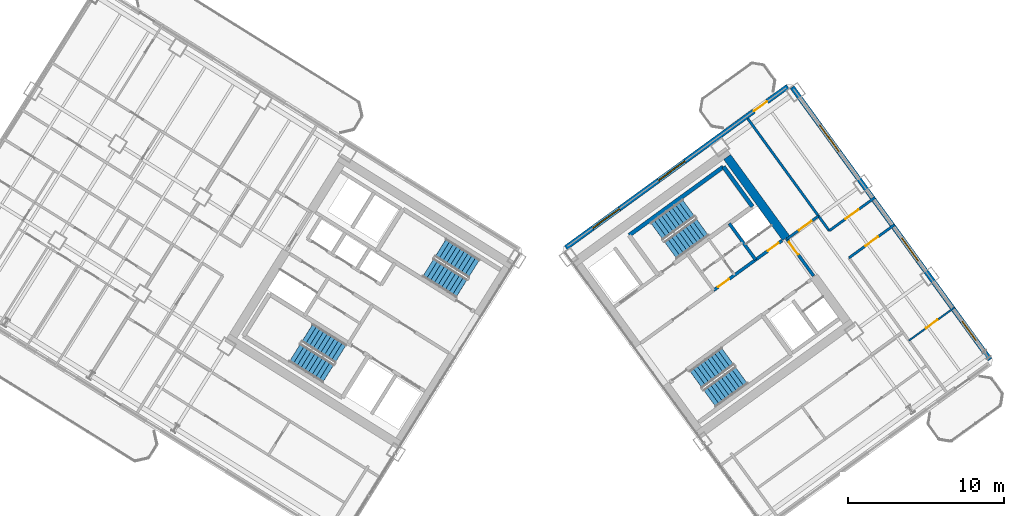
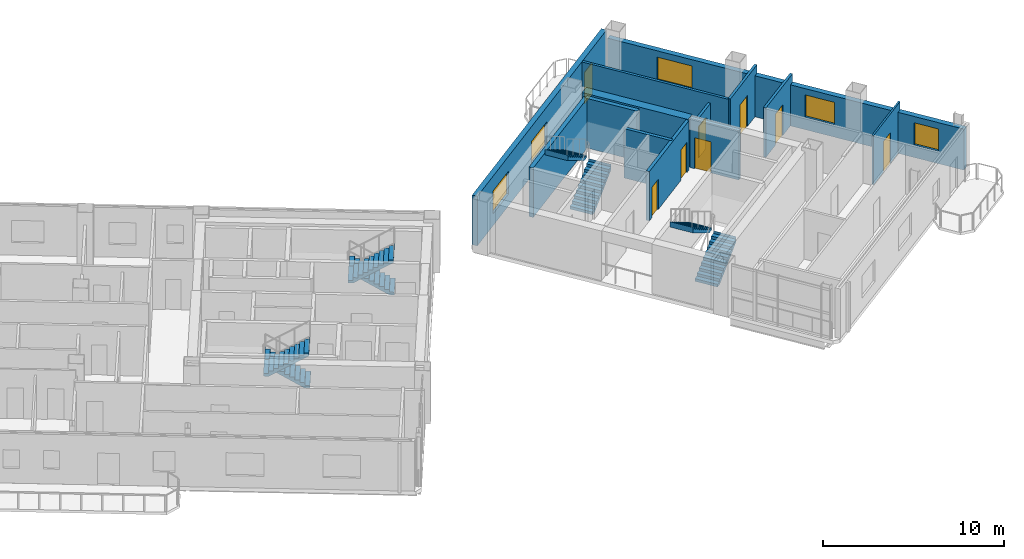
# One storey, part 14 of 19: 13 walls, 8 doors, 8 stair flights, 5 windows, 13 openings, 4 elements without a shape of their own.
"""IFC4 building model written with IfcOpenShell, lengths in metres."""

import ifcopenshell
import ifcopenshell.guid

model = None  # the IFC model being written
_history = None  # IfcOwnerHistory: only IFC2X3 demands one
_inside = {}  # id of a spatial element -> (the spatial element, [elements in it])
_under = {}  # id of a project, library or spatial element -> (it, [spatial elements below it])
_declared = {}  # id of a project -> (the project, [libraries it declares])
_typed = {}  # id of a type object -> (the type object, [elements of that type])
_made_of = {}  # id of a material, layer set ... -> (it, [elements and type objects made of it])


def new_model(schema):
    """Start an empty IFC model of exactly this schema.

    Asked for "IFC4X3", IfcOpenShell would pick the latest addendum, in which some entities
    have other attributes; the version numbers below select the first issue.
    IFC2X3 requires an IfcOwnerHistory on every rooted entity: one is made here for all.
    """
    global model, _history
    if schema == "IFC4X3":
        model = ifcopenshell.file(schema_version=(4, 3, 0, 0))
    else:
        model = ifcopenshell.file(schema=schema)
    _inside.clear()
    _under.clear()
    _declared.clear()
    _typed.clear()
    _made_of.clear()
    _history = None
    if model.schema == "IFC2X3":
        org = make("IfcOrganization", Name="unknown")
        user = make(
            "IfcPersonAndOrganization",
            ThePerson=make("IfcPerson", FamilyName="unknown"),
            TheOrganization=org,
        )
        app = make(
            "IfcApplication",
            ApplicationDeveloper=org,
            Version="unknown",
            ApplicationFullName="unknown",
            ApplicationIdentifier="unknown",
        )
        _history = make(
            "IfcOwnerHistory",
            OwningUser=user,
            OwningApplication=app,
            ChangeAction="ADDED",
            CreationDate=0,
        )
    return model


def make(cls, **values):
    """One entity of the class cls with the attributes given. An attribute that is None is left unset."""
    return model.create_entity(
        cls, **{name: value for name, value in values.items() if value is not None}
    )


def rooted(cls, **values):
    """An entity with a GlobalId (a new one), such as an element, a storey or a relation."""
    return make(cls, GlobalId=ifcopenshell.guid.new(), OwnerHistory=_history, **values)


def si_unit(unit_type, name, prefix=None):
    """IfcSIUnit, for example si_unit("LENGTHUNIT", "METRE", prefix="MILLI")."""
    return make("IfcSIUnit", UnitType=unit_type, Prefix=prefix, Name=name)


def assignment(units):
    """IfcUnitAssignment: the units of a project."""
    return None if units is None else make("IfcUnitAssignment", Units=units)


def point(xyz):
    """IfcCartesianPoint."""
    return None if xyz is None else make("IfcCartesianPoint", Coordinates=xyz)


def direction(xyz):
    """IfcDirection."""
    return None if xyz is None else make("IfcDirection", DirectionRatios=xyz)


def frame(location, z_axis=None, x_axis=None):
    """IfcAxis2Placement3D, a coordinate frame: its origin and axes. An axis left out is left unset."""
    return make(
        "IfcAxis2Placement3D",
        Location=point(location),
        Axis=direction(z_axis),
        RefDirection=direction(x_axis),
    )


def frame_2d(location, x_axis=None):
    """IfcAxis2Placement2D, a coordinate frame in the plane: its origin and x axis."""
    return make(
        "IfcAxis2Placement2D", Location=point(location), RefDirection=direction(x_axis)
    )


def origin():
    """The frame at (0, 0, 0) with its axes left unset."""
    return frame((0.0, 0.0, 0.0))


def place(relative_to, where):
    """IfcLocalPlacement: puts the frame where relative to a parent placement (None: the world)."""
    return make(
        "IfcLocalPlacement", PlacementRelTo=relative_to, RelativePlacement=where
    )


def context(
    kind, dimensions, precision=None, world=None, true_north=None, identifier=None
):
    """IfcGeometricRepresentationContext, for example the 3D "Model" context."""
    return make(
        "IfcGeometricRepresentationContext",
        ContextIdentifier=identifier,
        ContextType=kind,
        CoordinateSpaceDimension=dimensions,
        Precision=precision,
        WorldCoordinateSystem=world,
        TrueNorth=true_north,
    )


def subcontext(parent, identifier, kind, view, scale=None):
    """IfcGeometricRepresentationSubContext, for example "Body" below "Model"."""
    return make(
        "IfcGeometricRepresentationSubContext",
        ContextIdentifier=identifier,
        ContextType=kind,
        ParentContext=parent,
        TargetScale=scale,
        TargetView=view,
    )


def project(units=None, contexts=None):
    """IfcProject with its units and contexts."""
    return rooted(
        "IfcProject",
        Name="project",
        RepresentationContexts=contexts,
        UnitsInContext=assignment(units),
    )


def spatial(cls, under=None, at=None, **own):
    """A site, building, storey or space (cls), placed at a placement, below another one or the project."""
    s = rooted(cls, ObjectPlacement=at, **own)
    if under is not None:
        _under.setdefault(under.id(), (under, []))[1].append(s)
    return s


def polyline(points):
    """IfcPolyline through the points."""
    return make("IfcPolyline", Points=[point(p) for p in points])


def profile(cls, at=None, kind="AREA", **sizes):
    """A parametric profile (cls). Its sizes go by their IFC names, for example OverallWidth=200.0."""
    return make(cls, ProfileType=kind, Position=at, **sizes)


def rectangle(**sizes):
    """IfcRectangleProfileDef."""
    return profile("IfcRectangleProfileDef", **sizes)


def outline(outer, holes=None, kind="AREA"):
    """IfcArbitraryClosedProfileDef: a profile drawn as a closed curve; with holes, ...WithVoids."""
    if holes is None:
        return make("IfcArbitraryClosedProfileDef", ProfileType=kind, OuterCurve=outer)
    return make(
        "IfcArbitraryProfileDefWithVoids",
        ProfileType=kind,
        OuterCurve=outer,
        InnerCurves=holes,
    )


def extrude(swept, where, along, depth):
    """IfcExtrudedAreaSolid: the profile swept, set in the frame where, extruded along a direction by depth."""
    return make(
        "IfcExtrudedAreaSolid",
        SweptArea=swept,
        Position=where,
        ExtrudedDirection=direction(along),
        Depth=depth,
    )


def shape(context_of_items, identifier, shape_type, items):
    """IfcShapeRepresentation: the items that make up one representation, for example the "Body"."""
    return make(
        "IfcShapeRepresentation",
        ContextOfItems=context_of_items,
        RepresentationIdentifier=identifier,
        RepresentationType=shape_type,
        Items=items,
    )


def source(mapping_origin, context_of_items, identifier, shape_type, items):
    """IfcRepresentationMap: a shape defined once, which mapped items show again and again."""
    return make(
        "IfcRepresentationMap",
        MappingOrigin=mapping_origin,
        MappedRepresentation=shape(context_of_items, identifier, shape_type, items),
    )


def transform(
    local_origin,
    x_axis=None,
    y_axis=None,
    z_axis=None,
    scale=None,
    scale2=None,
    scale3=None,
    uniform=True,
):
    """IfcCartesianTransformationOperator3D, or its non-uniform kind. x_axis, y_axis, z_axis: its Axis1, 2, 3."""
    if uniform:
        return make(
            "IfcCartesianTransformationOperator3D",
            Axis1=direction(x_axis),
            Axis2=direction(y_axis),
            LocalOrigin=point(local_origin),
            Scale=scale,
            Axis3=direction(z_axis),
        )
    return make(
        "IfcCartesianTransformationOperator3DnonUniform",
        Axis1=direction(x_axis),
        Axis2=direction(y_axis),
        LocalOrigin=point(local_origin),
        Scale=scale,
        Axis3=direction(z_axis),
        Scale2=scale2,
        Scale3=scale3,
    )


def mapped(mapping_source, mapping_target):
    """IfcMappedItem: shows the shape of a source again, moved by a transform."""
    return make(
        "IfcMappedItem", MappingSource=mapping_source, MappingTarget=mapping_target
    )


def material(Name=None, Category=None):
    """IfcMaterial."""
    return make("IfcMaterial", Name=Name, Category=Category)


def layer(
    of_material, thickness, ventilated=None, Name=None, Category=None, Priority=None
):
    """IfcMaterialLayer: one layer of a wall or slab, of a material (None: an air gap)."""
    return make(
        "IfcMaterialLayer",
        Material=of_material,
        LayerThickness=thickness,
        IsVentilated=ventilated,
        Name=Name,
        Category=Category,
        Priority=Priority,
    )


def layer_set(layers, Name=None):
    """IfcMaterialLayerSet."""
    return make("IfcMaterialLayerSet", MaterialLayers=layers, LayerSetName=Name)


def made_of(thing, what):
    """Note that an element or type object is made of a material, layer set ...; save() writes the relation."""
    if what is not None:
        _made_of.setdefault(what.id(), (what, []))[1].append(thing)
    return thing


def type_object(cls, material=None, **own):
    """A type object (cls), such as IfcWallType, which elements share."""
    return made_of(rooted(cls, **own), material)


def element(
    cls,
    number,
    at=None,
    inside=None,
    cuts=None,
    type_object=None,
    material=None,
    context=None,
    identifier="Body",
    shape_type=None,
    held_by="IfcProductDefinitionShape",
    body=None,
    shapes=None,
    **own,
):
    """One element of the class cls, such as IfcWall. Its Tag is "e" and its number.

    at: its placement. inside: the storey or other place that contains it. cuts: it is an
    opening in that element (IfcRelVoidsElement). A single representation is given by context,
    identifier, shape_type and body (its items); several are given by shapes. held_by: the class
    of the entity that holds the representations. save() writes the other relations.
    """
    e = rooted(cls, Tag="e%d" % number, ObjectPlacement=at, **own)
    if body is not None:
        shapes = [shape(context, identifier, shape_type, body)]
    if shapes is not None:
        e.Representation = make(held_by, Representations=shapes)
    if inside is not None:
        _inside.setdefault(inside.id(), (inside, []))[1].append(e)
    if cuts is not None:
        rooted(
            "IfcRelVoidsElement", RelatingBuildingElement=cuts, RelatedOpeningElement=e
        )
    if type_object is not None:
        _typed.setdefault(type_object.id(), (type_object, []))[1].append(e)
    return made_of(e, material)


def fill(opening, filler):
    """IfcRelFillsElement: the door or window that sits in an opening."""
    return rooted(
        "IfcRelFillsElement",
        RelatingOpeningElement=opening,
        RelatedBuildingElement=filler,
    )


def aggregate(whole, parts):
    """IfcRelAggregates: a whole, such as a stair, and the parts it consists of."""
    return rooted("IfcRelAggregates", RelatingObject=whole, RelatedObjects=parts)


def save(model, path):
    """Write the relations noted so far, then the file.

    IfcRelAggregates (storeys below a building ...), IfcRelContainedInSpatialStructure (elements
    in a storey), IfcRelDefinesByType, IfcRelAssociatesMaterial and IfcRelDeclares: one each for
    every whole, place, type object, material and project.
    """
    for whole, parts in _under.values():
        aggregate(whole, parts)
    for where, things in _inside.values():
        rooted(
            "IfcRelContainedInSpatialStructure",
            RelatedElements=things,
            RelatingStructure=where,
        )
    for kind, things in _typed.values():
        rooted("IfcRelDefinesByType", RelatedObjects=things, RelatingType=kind)
    for what, things in _made_of.values():
        rooted("IfcRelAssociatesMaterial", RelatedObjects=things, RelatingMaterial=what)
    for by, libraries in _declared.values():
        rooted("IfcRelDeclares", RelatingContext=by, RelatedDefinitions=libraries)
    model.write(path)


model = new_model("IFC4")

# Units and contexts
model_context = context("Model", 3, precision=1e-05, world=origin(), true_north=direction((0.0, 1.0)))
body_context = subcontext(model_context, "Body", "Model", "MODEL_VIEW")
ifc_project = project(units=[si_unit("LENGTHUNIT", "METRE"), si_unit("AREAUNIT", "SQUARE_METRE"), si_unit("VOLUMEUNIT", "CUBIC_METRE"), si_unit("PLANEANGLEUNIT", "RADIAN"), si_unit("MASSUNIT", "GRAM", prefix="KILO")], contexts=[model_context])

# Site, building, storey
site_placement = place(None, origin())
site = spatial("IfcSite", under=ifc_project, at=site_placement, CompositionType="ELEMENT")
building_placement = place(site_placement, origin())
building = spatial("IfcBuilding", under=site, at=building_placement, Name="Tlacorven Tower", CompositionType="ELEMENT")
storey_placement = place(building_placement, frame((0.0, 0.0, 144.300048828125)))
storey = spatial("IfcBuildingStorey", under=building, at=storey_placement, Name="L36", CompositionType="ELEMENT", Elevation=144.300048828125)

# Wall
ifc_material_1 = material(Name="Concrete C60/75", Category="concrete")
ifc_layer_1 = layer(ifc_material_1, 0.550048828125)
ifc_layer_set_1 = layer_set([ifc_layer_1], Name="Concrete C60/75")
wall_type_1 = type_object("IfcWallType", Name="WL-COR-550", PredefinedType="SHEAR", material=ifc_layer_set_1)
wall_1_placement = place(storey_placement, frame((58.06396484375, 25.8134765625, 0.0), z_axis=(0.0, 0.0, 1.0), x_axis=(-0.587764933797, 0.809031756236, 0.0)))
element("IfcWall", 1, at=wall_1_placement, inside=storey, type_object=wall_type_1, Name="L36 E core end wall E2.2", PredefinedType="SHEAR", context=body_context, shape_type="SweptSolid", body=[
    extrude(rectangle(XDim=6.425048828125, YDim=0.550048828125, at=frame_2d((3.21240234375, 0.0))), origin(), (0.0, 0.0, 1.0), 3.349853515625),
])

# Wall, opening, door
ifc_material_2 = material(Name="Gypsum plasterboard acoustic partition", Category="gypsum")
ifc_layer_2 = layer(ifc_material_2, 0.159912109375)
ifc_layer_set_2 = layer_set([ifc_layer_2], Name="Gypsum plasterboard acoustic partition")
wall_type_2 = type_object("IfcWallType", Name="WL-DEM-160", PredefinedType="PARTITIONING", material=ifc_layer_set_2)
wall_2_placement = place(storey_placement, frame((58.111083984375, 25.748779296875, 0.0), z_axis=(0.0, 0.0, 1.0), x_axis=(0.809000999347, 0.58780726693, 0.0)))
wall_2 = element("IfcWall", 2, at=wall_2_placement, inside=storey, type_object=wall_type_2, Name="L36 partition 77", PredefinedType="PARTITIONING", context=body_context, shape_type="SweptSolid", body=[
    extrude(rectangle(XDim=2.510009765625, YDim=0.159912109375, at=frame_2d((1.2548828125, 0.0))), origin(), (0.0, 0.0, 1.0), 2.77490234375),
])
opening_1_placement = place(wall_2_placement, frame((0.949951171875, 0.0, 0.0)))
opening_1 = element("IfcOpeningElement", 3, at=opening_1_placement, cuts=wall_2, Name="Opening D11", PredefinedType="OPENING", context=body_context, shape_type="SweptSolid", body=[
    extrude(rectangle(XDim=1.0, YDim=2.10009765625, at=frame_2d((0.5, 1.050048828125))), frame((0.0, 0.08984375, 0.0), z_axis=(0.0, -1.0, 0.0), x_axis=(1.0, 0.0, 0.0)), (0.0, 0.0, 1.0), 0.179931640625),
])
ifc_material_3 = material(Name="Fire-rated steel door assembly", Category="steel")
door_type_1 = type_object("IfcDoorType", Name="DR-FLT-FD60-1000", OperationType="NOTDEFINED", PredefinedType="DOOR", material=ifc_material_3)
shared_shape_1 = source(origin(), body_context, "Body", "SweptSolid", [
    extrude(rectangle(XDim=1.0, YDim=2.10009765625, at=frame_2d((0.5, 1.050048828125))), frame((0.0, 0.02490234375, 0.0), z_axis=(0.0, -1.0, 0.0), x_axis=(1.0, 0.0, 0.0)), (0.0, 0.0, 1.0), 0.050048828125),
])
door_1_placement = place(opening_1_placement, origin())
door_1 = element("IfcDoor", 4, at=door_1_placement, inside=storey, type_object=door_type_1, Name="L36 door 048", OperationType="SINGLE_SWING_LEFT", OverallHeight=2.10009765625, OverallWidth=1.0, PredefinedType="DOOR", context=body_context, shape_type="MappedRepresentation", body=[
    mapped(shared_shape_1, transform((0.0, 0.0, 0.0), scale=1.0)),
])
fill(opening_1, door_1)

# Wall
wall_3_placement = place(storey_placement, frame((60.829345703125, 26.277587890625, 0.0), z_axis=(0.0, 0.0, 1.0), x_axis=(-0.587781800813, 0.80901950201, 0.0)))
element("IfcWall", 5, at=wall_3_placement, inside=storey, type_object=wall_type_2, Name="L36 partition 79", PredefinedType="PARTITIONING", context=body_context, shape_type="SweptSolid", body=[
    extrude(rectangle(XDim=8.89990234375, YDim=0.159912109375, at=frame_2d((4.449951171875, 0.0))), origin(), (0.0, 0.0, 1.0), 3.33984375),
])

# Wall, opening, door
wall_4_placement = place(storey_placement, frame((62.093017578125, 24.538330078125, 0.0), z_axis=(0.0, 0.0, 1.0), x_axis=(0.809035546126, 0.58775971715, 0.0)))
wall_4 = element("IfcWall", 6, at=wall_4_placement, inside=storey, type_object=wall_type_2, Name="L36 partition 81", PredefinedType="PARTITIONING", context=body_context, shape_type="SweptSolid", body=[
    extrude(rectangle(XDim=3.6298828125, YDim=0.159912109375, at=frame_2d((1.81494140625, 0.0))), origin(), (0.0, 0.0, 1.0), 3.33984375),
])
opening_2_placement = place(wall_4_placement, frame((1.304931640625, 0.0, 0.0)))
opening_2 = element("IfcOpeningElement", 7, at=opening_2_placement, cuts=wall_4, Name="Opening D11", PredefinedType="OPENING", context=body_context, shape_type="SweptSolid", body=[
    extrude(rectangle(XDim=1.0, YDim=2.10009765625, at=frame_2d((0.5, 1.050048828125))), frame((0.0, 0.08984375, 0.0), z_axis=(0.0, -1.0, 0.0), x_axis=(1.0, 0.0, 0.0)), (0.0, 0.0, 1.0), 0.179931640625),
])
door_2_placement = place(opening_2_placement, origin())
door_2 = element("IfcDoor", 8, at=door_2_placement, inside=storey, type_object=door_type_1, Name="L36 door 051", OperationType="SINGLE_SWING_RIGHT", OverallHeight=2.10009765625, OverallWidth=1.0, PredefinedType="DOOR", context=body_context, shape_type="MappedRepresentation", body=[
    mapped(shared_shape_1, transform((0.0, 0.0, 0.0), scale=1.0)),
])
fill(opening_2, door_2)

wall_5_placement = place(storey_placement, frame((60.829345703125, 26.277587890625, 0.0), z_axis=(0.0, 0.0, 1.0), x_axis=(0.809003564202, 0.587803736896, 0.0)))
wall_5 = element("IfcWall", 9, at=wall_5_placement, inside=storey, type_object=wall_type_2, Name="L36 partition 82", PredefinedType="PARTITIONING", context=body_context, shape_type="SweptSolid", body=[
    extrude(rectangle(XDim=3.630126953125, YDim=0.159912109375, at=frame_2d((1.81494140625, 0.0))), origin(), (0.0, 0.0, 1.0), 3.33984375),
])
opening_3_placement = place(wall_5_placement, frame((1.304931640625, 0.0, 0.0)))
opening_3 = element("IfcOpeningElement", 10, at=opening_3_placement, cuts=wall_5, Name="Opening D11", PredefinedType="OPENING", context=body_context, shape_type="SweptSolid", body=[
    extrude(rectangle(XDim=1.0, YDim=2.10009765625, at=frame_2d((0.5, 1.050048828125))), frame((0.0, 0.08984375, 0.0), z_axis=(0.0, -1.0, 0.0), x_axis=(1.0, 0.0, 0.0)), (0.0, 0.0, 1.0), 0.179931640625),
])
door_3_placement = place(opening_3_placement, origin())
door_3 = element("IfcDoor", 11, at=door_3_placement, inside=storey, type_object=door_type_1, Name="L36 door 050", OperationType="SINGLE_SWING_LEFT", OverallHeight=2.10009765625, OverallWidth=1.0, PredefinedType="DOOR", context=body_context, shape_type="MappedRepresentation", body=[
    mapped(shared_shape_1, transform((0.0, 0.0, 0.0), scale=1.0)),
])
fill(opening_3, door_3)

# Wall, openings, door, windows
ifc_material_4 = material(Name="Precast concrete C45/55", Category="concrete")
ifc_layer_3 = layer(ifc_material_4, 0.320068359375)
ifc_layer_set_3 = layer_set([ifc_layer_3], Name="Precast concrete C45/55")
wall_type_3 = type_object("IfcWallType", Name="WL-EXT-320", PredefinedType="STANDARD", material=ifc_layer_set_3)
wall_6_placement = place(storey_placement, frame((43.93798828125, 25.191650390625, 0.0), z_axis=(0.0, 0.0, 1.0), x_axis=(0.809016324578, 0.587786174187, 0.0)))
wall_6 = element("IfcWall", 12, at=wall_6_placement, inside=storey, type_object=wall_type_3, Name="L36 Masonry-Frame Recessed Facade Wall 4", PredefinedType="STANDARD", context=body_context, shape_type="SweptSolid", body=[
    extrude(rectangle(XDim=17.58740234375, YDim=0.320068359375, at=frame_2d((8.793701171875, 0.0))), origin(), (0.0, 0.0, 1.0), 3.349853515625),
])
opening_4_placement = place(wall_6_placement, frame((14.913818359375, 0.0, 0.0)))
opening_4 = element("IfcOpeningElement", 13, at=opening_4_placement, cuts=wall_6, Name="Opening D06", PredefinedType="OPENING", context=body_context, shape_type="SweptSolid", body=[
    extrude(rectangle(XDim=1.050048828125, YDim=2.14990234375, at=frame_2d((0.52490234375, 1.074951171875))), frame((0.0, 0.169921875, 0.0), z_axis=(0.0, -1.0, 0.0), x_axis=(1.0, 0.0, 0.0)), (0.0, 0.0, 1.0), 0.340087890625),
])
opening_5_placement = place(wall_6_placement, frame((2.143798828125, 0.0, 0.800048828125)))
opening_5 = element("IfcOpeningElement", 14, at=opening_5_placement, cuts=wall_6, Name="Opening WN04", PredefinedType="OPENING", context=body_context, shape_type="SweptSolid", body=[
    extrude(rectangle(XDim=2.10009765625, YDim=1.550048828125, at=frame_2d((1.050048828125, 0.77490234375))), frame((0.0, 0.169921875, 0.0), z_axis=(0.0, -1.0, 0.0), x_axis=(1.0, 0.0, 0.0)), (0.0, 0.0, 1.0), 0.340087890625),
])
opening_6_placement = place(wall_6_placement, frame((7.34375, 0.0, 0.800048828125)))
opening_6 = element("IfcOpeningElement", 15, at=opening_6_placement, cuts=wall_6, Name="Opening WN04", PredefinedType="OPENING", context=body_context, shape_type="SweptSolid", body=[
    extrude(rectangle(XDim=2.10009765625, YDim=1.550048828125, at=frame_2d((1.050048828125, 0.77490234375))), frame((0.0, 0.169921875, 0.0), z_axis=(0.0, -1.0, 0.0), x_axis=(1.0, 0.0, 0.0)), (0.0, 0.0, 1.0), 0.340087890625),
])
ifc_material_5 = material(Name="Powder-coated aluminium and timber door", Category="wood")
door_type_2 = type_object("IfcDoorType", Name="DR-EXT-BALC-1050", OperationType="NOTDEFINED", PredefinedType="DOOR", material=ifc_material_5)
shared_shape_2 = source(origin(), body_context, "Body", "SweptSolid", [
    extrude(rectangle(XDim=1.050048828125, YDim=2.14990234375, at=frame_2d((0.52490234375, 1.074951171875))), frame((0.0, 0.02490234375, 0.0), z_axis=(0.0, -1.0, 0.0), x_axis=(1.0, 0.0, 0.0)), (0.0, 0.0, 1.0), 0.050048828125),
])
door_4_placement = place(opening_4_placement, origin())
door_4 = element("IfcDoor", 16, at=door_4_placement, inside=storey, type_object=door_type_2, Name="L36 Outdoor Access Door BAL-L36-E-IN", OperationType="SINGLE_SWING_RIGHT", OverallHeight=2.14990234375, OverallWidth=1.050048828125, PredefinedType="DOOR", context=body_context, shape_type="MappedRepresentation", body=[
    mapped(shared_shape_2, transform((0.0, 0.0, 0.0), scale=1.0)),
])
fill(opening_4, door_4)
ifc_material_6 = material(Name="Dark solar low-E double glazing in anodised aluminium frame", Category="aluminium")
window_type_1 = type_object("IfcWindowType", Name="WN-APT-2100X1750", PartitioningType="SINGLE_PANEL", PredefinedType="WINDOW", material=ifc_material_6)
shared_shape_3 = source(origin(), body_context, "Body", "SweptSolid", [
    extrude(rectangle(XDim=2.10009765625, YDim=1.550048828125, at=frame_2d((1.050048828125, 0.77490234375))), frame((0.0, 0.030029296875, 0.0), z_axis=(0.0, -1.0, 0.0), x_axis=(1.0, 0.0, 0.0)), (0.0, 0.0, 1.0), 0.06005859375),
])
window_1_placement = place(opening_5_placement, origin())
window_1 = element("IfcWindow", 17, at=window_1_placement, inside=storey, type_object=window_type_1, Name="L36 Recessed Masonry-Frame Window L36-04.1", OverallHeight=1.550048828125, OverallWidth=2.10009765625, PartitioningType="SINGLE_PANEL", PredefinedType="WINDOW", context=body_context, shape_type="MappedRepresentation", body=[
    mapped(shared_shape_3, transform((0.0, 0.0, 0.0), scale=1.0)),
])
fill(opening_5, window_1)
window_2_placement = place(opening_6_placement, origin())
window_2 = element("IfcWindow", 18, at=window_2_placement, inside=storey, type_object=window_type_1, Name="L36 Recessed Masonry-Frame Window L36-04.2", OverallHeight=1.550048828125, OverallWidth=2.10009765625, PartitioningType="SINGLE_PANEL", PredefinedType="WINDOW", context=body_context, shape_type="MappedRepresentation", body=[
    mapped(shared_shape_3, transform((0.0, 0.0, 0.0), scale=1.0)),
])
fill(opening_6, window_2)

# Wall, openings, windows
wall_7_placement = place(storey_placement, frame((58.45458984375, 35.483642578125, 0.0), z_axis=(0.0, 0.0, 1.0), x_axis=(0.587783625747, -0.809018176127, 0.0)))
wall_7 = element("IfcWall", 19, at=wall_7_placement, inside=storey, type_object=wall_type_3, Name="L36 Masonry-Frame Recessed Facade Wall 5", PredefinedType="STANDARD", context=body_context, shape_type="SweptSolid", body=[
    extrude(rectangle(XDim=21.58740234375, YDim=0.320068359375, at=frame_2d((10.793701171875, 0.0))), origin(), (0.0, 0.0, 1.0), 2.77490234375),
])
opening_7_placement = place(wall_7_placement, frame((2.99365234375, 0.0, 0.800048828125)))
opening_7 = element("IfcOpeningElement", 20, at=opening_7_placement, cuts=wall_7, Name="Opening WN04", PredefinedType="OPENING", context=body_context, shape_type="SweptSolid", body=[
    extrude(rectangle(XDim=2.10009765625, YDim=1.550048828125, at=frame_2d((1.050048828125, 0.77490234375))), frame((0.0, 0.169921875, 0.0), z_axis=(0.0, -1.0, 0.0), x_axis=(1.0, 0.0, 0.0)), (0.0, 0.0, 1.0), 0.340087890625),
])
opening_8_placement = place(wall_7_placement, frame((11.958740234375, 0.0, 0.85009765625)))
opening_8 = element("IfcOpeningElement", 21, at=opening_8_placement, cuts=wall_7, Name="Opening WN01", PredefinedType="OPENING", context=body_context, shape_type="SweptSolid", body=[
    extrude(rectangle(XDim=1.800048828125, YDim=1.5, at=frame_2d((0.89990234375, 0.75))), frame((0.0, 0.169921875, 0.0), z_axis=(0.0, -1.0, 0.0), x_axis=(1.0, 0.0, 0.0)), (0.0, 0.0, 1.0), 0.340087890625),
])
opening_9_placement = place(wall_7_placement, frame((18.559814453125, 0.0, 0.85009765625)))
opening_9 = element("IfcOpeningElement", 22, at=opening_9_placement, cuts=wall_7, Name="Opening WN02", PredefinedType="OPENING", context=body_context, shape_type="SweptSolid", body=[
    extrude(rectangle(XDim=1.5, YDim=1.5, at=frame_2d((0.75, 0.75))), frame((0.0, 0.169921875, 0.0), z_axis=(0.0, -1.0, 0.0), x_axis=(1.0, 0.0, 0.0)), (0.0, 0.0, 1.0), 0.340087890625),
])
window_3_placement = place(opening_7_placement, origin())
window_3 = element("IfcWindow", 23, at=window_3_placement, inside=storey, type_object=window_type_1, Name="L36 Recessed Masonry-Frame Window L36-05.1", OverallHeight=1.550048828125, OverallWidth=2.10009765625, PartitioningType="SINGLE_PANEL", PredefinedType="WINDOW", context=body_context, shape_type="MappedRepresentation", body=[
    mapped(shared_shape_3, transform((0.0, 0.0, 0.0), scale=1.0)),
])
fill(opening_7, window_3)
window_type_2 = type_object("IfcWindowType", Name="WN-APT-1800X1650", PartitioningType="SINGLE_PANEL", PredefinedType="WINDOW", material=ifc_material_6)
shared_shape_4 = source(origin(), body_context, "Body", "SweptSolid", [
    extrude(rectangle(XDim=1.800048828125, YDim=1.5, at=frame_2d((0.89990234375, 0.75))), frame((0.0, 0.030029296875, 0.0), z_axis=(0.0, -1.0, 0.0), x_axis=(1.0, 0.0, 0.0)), (0.0, 0.0, 1.0), 0.06005859375),
])
window_4_placement = place(opening_8_placement, origin())
window_4 = element("IfcWindow", 24, at=window_4_placement, inside=storey, type_object=window_type_2, Name="L36 Recessed Masonry-Frame Window L36-05.2", OverallHeight=1.5, OverallWidth=1.800048828125, PartitioningType="SINGLE_PANEL", PredefinedType="WINDOW", context=body_context, shape_type="MappedRepresentation", body=[
    mapped(shared_shape_4, transform((0.0, 0.0, 0.0), scale=1.0)),
])
fill(opening_8, window_4)
window_type_3 = type_object("IfcWindowType", Name="WN-APT-1500X1650", PartitioningType="SINGLE_PANEL", PredefinedType="WINDOW", material=ifc_material_6)
shared_shape_5 = source(origin(), body_context, "Body", "SweptSolid", [
    extrude(rectangle(XDim=1.5, YDim=1.5, at=frame_2d((0.75, 0.75))), frame((0.0, 0.030029296875, 0.0), z_axis=(0.0, -1.0, 0.0), x_axis=(1.0, 0.0, 0.0)), (0.0, 0.0, 1.0), 0.06005859375),
])
window_5_placement = place(opening_9_placement, origin())
window_5 = element("IfcWindow", 25, at=window_5_placement, inside=storey, type_object=window_type_3, Name="L36 Recessed Masonry-Frame Window L36-05.3", OverallHeight=1.5, OverallWidth=1.5, PartitioningType="SINGLE_PANEL", PredefinedType="WINDOW", context=body_context, shape_type="MappedRepresentation", body=[
    mapped(shared_shape_5, transform((0.0, 0.0, 0.0), scale=1.0)),
])
fill(opening_9, window_5)

# Wall, opening, door
ifc_material_7 = material(Name="Gypsum plasterboard partition", Category="gypsum")
ifc_layer_4 = layer(ifc_material_7, 0.110107421875)
ifc_layer_set_4 = layer_set([ifc_layer_4], Name="Gypsum plasterboard partition")
wall_type_4 = type_object("IfcWallType", Name="WL-INT-110", PredefinedType="PARTITIONING", material=ifc_layer_set_4)
wall_8_placement = place(storey_placement, frame((65.9443359375, 19.237548828125, 0.0), z_axis=(0.0, 0.0, 1.0), x_axis=(0.809013833588, 0.587789602718, 0.0)))
wall_8 = element("IfcWall", 26, at=wall_8_placement, inside=storey, type_object=wall_type_4, Name="L36 partition 83", PredefinedType="PARTITIONING", context=body_context, shape_type="SweptSolid", body=[
    extrude(rectangle(XDim=3.60986328125, YDim=0.110107421875, at=frame_2d((1.804931640625, 0.0))), origin(), (0.0, 0.0, 1.0), 3.33984375),
])
opening_10_placement = place(wall_8_placement, frame((1.344970703125, 0.0, 0.0)))
opening_10 = element("IfcOpeningElement", 27, at=opening_10_placement, cuts=wall_8, Name="Opening D12", PredefinedType="OPENING", context=body_context, shape_type="SweptSolid", body=[
    extrude(rectangle(XDim=0.919921875, YDim=2.080078125, at=frame_2d((0.4599609375, 1.0400390625))), frame((0.0, 0.06494140625, 0.0), z_axis=(0.0, -1.0, 0.0), x_axis=(1.0, 0.0, 0.0)), (0.0, 0.0, 1.0), 0.130126953125),
])
door_type_3 = type_object("IfcDoorType", Name="DR-INT-ROOM-0920", OperationType="NOTDEFINED", PredefinedType="DOOR", material=ifc_material_5)
shared_shape_6 = source(origin(), body_context, "Body", "SweptSolid", [
    extrude(rectangle(XDim=0.919921875, YDim=2.080078125, at=frame_2d((0.4599609375, 1.0400390625))), frame((0.0, 0.02490234375, 0.0), z_axis=(0.0, -1.0, 0.0), x_axis=(1.0, 0.0, 0.0)), (0.0, 0.0, 1.0), 0.050048828125),
])
door_5_placement = place(opening_10_placement, origin())
door_5 = element("IfcDoor", 28, at=door_5_placement, inside=storey, type_object=door_type_3, Name="L36 door 052", OperationType="SINGLE_SWING_LEFT", OverallHeight=2.080078125, OverallWidth=0.919921875, PredefinedType="DOOR", context=body_context, shape_type="MappedRepresentation", body=[
    mapped(shared_shape_6, transform((0.0, 0.0, 0.0), scale=1.0)),
])
fill(opening_10, door_5)

# Wall
ifc_material_8 = material(Name="Concrete C40/50", Category="concrete")
ifc_layer_5 = layer(ifc_material_8, 0.199951171875)
ifc_layer_set_5 = layer_set([ifc_layer_5], Name="Concrete C40/50")
wall_type_5 = type_object("IfcWallType", Name="WL-SHF-200", PredefinedType="STANDARD", material=ifc_layer_set_5)
wall_9_placement = place(storey_placement, frame((56.110595703125, 24.4189453125, 0.0), z_axis=(0.0, 0.0, 1.0), x_axis=(-0.58777848983, 0.809021907548, 0.0)))
element("IfcWall", 29, at=wall_9_placement, inside=storey, type_object=wall_type_5, Name="L36 partition 40", PredefinedType="STANDARD", context=body_context, shape_type="SweptSolid", body=[
    extrude(rectangle(XDim=2.880126953125, YDim=0.199951171875, at=frame_2d((1.43994140625, 0.0))), origin(), (0.0, 0.0, 1.0), 3.33984375),
])

# Wall, openings, doors
wall_10_placement = place(storey_placement, frame((53.424560546875, 22.467529296875, 0.0), z_axis=(0.0, 0.0, 1.0), x_axis=(0.809024377198, 0.587775090574, 0.0)))
wall_10 = element("IfcWall", 30, at=wall_10_placement, inside=storey, type_object=wall_type_5, Name="L36 Core E North Service Wall", PredefinedType="STANDARD", context=body_context, shape_type="SweptSolid", body=[
    extrude(rectangle(XDim=5.41796875, YDim=0.199951171875, at=frame_2d((2.708984375, 0.0))), origin(), (0.0, 0.0, 1.0), 3.33984375),
])
opening_11_placement = place(wall_10_placement, frame((4.280029296875, 0.0, 0.0)))
opening_11 = element("IfcOpeningElement", 31, at=opening_11_placement, cuts=wall_10, Name="Opening D19", PredefinedType="OPENING", context=body_context, shape_type="SweptSolid", body=[
    extrude(rectangle(XDim=0.860107421875, YDim=2.050048828125, at=frame_2d((0.43017578125, 1.02490234375))), frame((0.0, 0.10986328125, 0.0), z_axis=(0.0, -1.0, 0.0), x_axis=(1.0, 0.0, 0.0)), (0.0, 0.0, 1.0), 0.219970703125),
])
opening_12_placement = place(wall_10_placement, frame((0.35009765625, 0.0, 0.0)))
opening_12 = element("IfcOpeningElement", 32, at=opening_12_placement, cuts=wall_10, Name="Opening D19", PredefinedType="OPENING", context=body_context, shape_type="SweptSolid", body=[
    extrude(rectangle(XDim=0.860107421875, YDim=2.050048828125, at=frame_2d((0.43017578125, 1.02490234375))), frame((0.0, 0.10986328125, 0.0), z_axis=(0.0, -1.0, 0.0), x_axis=(1.0, 0.0, 0.0)), (0.0, 0.0, 1.0), 0.219970703125),
])
door_type_4 = type_object("IfcDoorType", Name="DR-RSR-FD60-0860", OperationType="NOTDEFINED", PredefinedType="DOOR", material=ifc_material_3)
shared_shape_7 = source(origin(), body_context, "Body", "SweptSolid", [
    extrude(rectangle(XDim=0.860107421875, YDim=2.050048828125, at=frame_2d((0.43017578125, 1.02490234375))), frame((0.0, 0.02490234375, 0.0), z_axis=(0.0, -1.0, 0.0), x_axis=(1.0, 0.0, 0.0)), (0.0, 0.0, 1.0), 0.050048828125),
])
door_6_placement = place(opening_11_placement, frame((0.860107421875, 0.0, 0.0), z_axis=(0.0, 0.0, 1.0), x_axis=(-1.0, 0.0, 0.0)))
door_6 = element("IfcDoor", 33, at=door_6_placement, inside=storey, type_object=door_type_4, Name="L36 Electrical Riser Access Door E", OperationType="SINGLE_SWING_RIGHT", OverallHeight=2.050048828125, OverallWidth=0.860107421875, PredefinedType="DOOR", context=body_context, shape_type="MappedRepresentation", body=[
    mapped(shared_shape_7, transform((0.0, 0.0, 0.0), scale=1.0)),
])
fill(opening_11, door_6)
door_7_placement = place(opening_12_placement, frame((0.860107421875, 0.0, 0.0), z_axis=(0.0, 0.0, 1.0), x_axis=(-1.0, 0.0, 0.0)))
door_7 = element("IfcDoor", 34, at=door_7_placement, inside=storey, type_object=door_type_4, Name="L36 Cleaning Room Access Door E", OperationType="SINGLE_SWING_LEFT", OverallHeight=2.050048828125, OverallWidth=0.860107421875, PredefinedType="DOOR", context=body_context, shape_type="MappedRepresentation", body=[
    mapped(shared_shape_7, transform((0.0, 0.0, 0.0), scale=1.0)),
])
fill(opening_12, door_7)

# Wall, opening, door
wall_11_placement = place(storey_placement, frame((59.827392578125, 23.386474609375, 0.0), z_axis=(0.0, 0.0, 1.0), x_axis=(-0.587803840107, 0.809003489211, 0.0)))
wall_11 = element("IfcWall", 35, at=wall_11_placement, inside=storey, type_object=wall_type_5, Name="L36 partition 75", PredefinedType="STANDARD", context=body_context, shape_type="SweptSolid", body=[
    extrude(rectangle(XDim=2.960205078125, YDim=0.199951171875, at=frame_2d((1.47998046875, 0.0))), origin(), (0.0, 0.0, 1.0), 3.33984375),
])
opening_13_placement = place(wall_11_placement, frame((1.679931640625, 0.0, 0.0)))
opening_13 = element("IfcOpeningElement", 36, at=opening_13_placement, cuts=wall_11, Name="Opening D11", PredefinedType="OPENING", context=body_context, shape_type="SweptSolid", body=[
    extrude(rectangle(XDim=1.0, YDim=2.10009765625, at=frame_2d((0.5, 1.050048828125))), frame((0.0, 0.10986328125, 0.0), z_axis=(0.0, -1.0, 0.0), x_axis=(1.0, 0.0, 0.0)), (0.0, 0.0, 1.0), 0.219970703125),
])
door_8_placement = place(opening_13_placement, origin())
door_8 = element("IfcDoor", 37, at=door_8_placement, inside=storey, type_object=door_type_1, Name="L36 door 049", OperationType="SINGLE_SWING_RIGHT", OverallHeight=2.10009765625, OverallWidth=1.0, PredefinedType="DOOR", context=body_context, shape_type="MappedRepresentation", body=[
    mapped(shared_shape_1, transform((0.0, 0.0, 0.0), scale=1.0)),
])
fill(opening_13, door_8)

# Walls
ifc_material_9 = material(Name="Concrete C50/60", Category="concrete")
ifc_layer_6 = layer(ifc_material_9, 0.260009765625)
ifc_layer_set_6 = layer_set([ifc_layer_6], Name="Concrete C50/60")
wall_type_6 = type_object("IfcWallType", Name="WL-STW-260", PredefinedType="SHEAR", material=ifc_layer_set_6)
wall_12_placement = place(storey_placement, frame((48.005615234375, 25.996337890625, 0.0), z_axis=(0.0, 0.0, 1.0), x_axis=(0.80901903764, 0.587782439969, 0.0)))
element("IfcWall", 38, at=wall_12_placement, inside=storey, type_object=wall_type_6, Name="L36 Stair E1 Far Shear Wall", PredefinedType="SHEAR", context=body_context, shape_type="SweptSolid", body=[
    extrude(rectangle(XDim=7.4599609375, YDim=0.260009765625, at=frame_2d((3.72998046875, 0.0))), origin(), (0.0, 0.0, 1.0), 3.349853515625),
])
wall_13_placement = place(storey_placement, frame((55.906494140625, 27.83056640625, 0.0), z_axis=(0.0, 0.0, 1.0), x_axis=(-0.587804123638, 0.809003283204, 0.0)))
element("IfcWall", 39, at=wall_13_placement, inside=storey, type_object=wall_type_6, Name="L36 Stair E1 East Shear Wall", PredefinedType="SHEAR", context=body_context, shape_type="SweptSolid", body=[
    extrude(rectangle(XDim=3.159912109375, YDim=0.260009765625, at=frame_2d((1.580078125, 0.0))), origin(), (0.0, 0.0, 1.0), 3.349853515625),
])

# Stair, stair flights
stair_type = type_object("IfcStairType", Name="ST-CORE-DLG", PredefinedType="HALF_TURN_STAIR", material=ifc_material_8)
stair_1_placement = place(storey_placement, origin())
stair_1 = element("IfcStair", 40, at=stair_1_placement, inside=storey, type_object=stair_type, Name="L36 Protected Exit Stair West 1", PredefinedType="HALF_TURN_STAIR")
stair_flight_type = type_object("IfcStairFlightType", Name="SFL-RC-1380", PredefinedType="STRAIGHT", material=ifc_material_8)
shared_shape_8 = source(origin(), body_context, "Body", "SweptSolid", [
    extrude(outline(polyline([(-0.0029296875, -0.0029296875), (-0.0029296875, 0.179931640625), (0.280029296875, 0.179931640625), (0.280029296875, 0.360107421875), (0.56005859375, 0.360107421875), (0.56005859375, 0.5400390625), (0.840087890625, 0.5400390625), (0.840087890625, 0.719970703125), (1.1201171875, 0.719970703125), (1.1201171875, 0.89990234375), (1.39990234375, 0.89990234375), (1.39990234375, 1.080078125), (1.679931640625, 1.080078125), (1.679931640625, 1.260009765625), (1.9599609375, 1.260009765625), (1.9599609375, 1.43994140625), (2.239990234375, 1.43994140625), (2.239990234375, 1.6201171875), (2.52001953125, 1.6201171875), (2.52001953125, 1.800048828125), (2.52294921875, 1.800048828125), (2.52294921875, 1.429931640625), (2.52001953125, 1.429931640625), (0.295654296875, 0.0), (0.295654296875, -0.0029296875), (-0.0029296875, -0.0029296875)])), frame((0.0, 0.68994140625, 0.0), z_axis=(0.0, -1.0, 0.0), x_axis=(1.0, 0.0, 0.0)), (0.0, 0.0, 1.0), 1.3798828125),
])
stair_flight_1_placement = place(storey_placement, frame((29.499755859375, 18.39453125, 0.0), z_axis=(0.0, 0.0, 1.0), x_axis=(-0.848048096156, 0.529919264233, 0.0)))
stair_flight_1 = element("IfcStairFlight", 41, at=stair_flight_1_placement, type_object=stair_flight_type, Name="ST-W1 flight 1", NumberOfRisers=10, NumberOfTreads=9, PredefinedType="STRAIGHT", RiserHeight=0.18, TreadLength=0.28, context=body_context, shape_type="MappedRepresentation", body=[
    mapped(shared_shape_8, transform((0.0, 0.0, 0.0), scale=1.0)),
])
stair_flight_2_placement = place(storey_placement, frame((26.56787109375, 18.4580078125, 1.800048828125), z_axis=(0.0, 0.0, 1.0), x_axis=(0.848048096156, -0.529919264233, 0.0)))
stair_flight_2 = element("IfcStairFlight", 42, at=stair_flight_2_placement, type_object=stair_flight_type, Name="ST-W1 flight 2", NumberOfRisers=10, NumberOfTreads=9, PredefinedType="STRAIGHT", RiserHeight=0.18, TreadLength=0.28, context=body_context, shape_type="MappedRepresentation", body=[
    mapped(shared_shape_8, transform((0.0, 0.0, 0.0), scale=1.0)),
])
aggregate(stair_1, [stair_flight_1, stair_flight_2])

stair_2_placement = place(storey_placement, origin())
stair_2 = element("IfcStair", 43, at=stair_2_placement, inside=storey, type_object=stair_type, Name="L36 Protected Exit Stair West 2", PredefinedType="HALF_TURN_STAIR")
stair_flight_3_placement = place(storey_placement, frame((38.051513671875, 23.852294921875, 0.0), z_axis=(0.0, 0.0, 1.0), x_axis=(-0.848048096156, 0.529919264233, 0.0)))
stair_flight_3 = element("IfcStairFlight", 44, at=stair_flight_3_placement, type_object=stair_flight_type, Name="ST-W2 flight 1", NumberOfRisers=10, NumberOfTreads=9, PredefinedType="STRAIGHT", RiserHeight=0.18, TreadLength=0.28, context=body_context, shape_type="MappedRepresentation", body=[
    mapped(shared_shape_8, transform((0.0, 0.0, 0.0), scale=1.0)),
])
stair_flight_4_placement = place(storey_placement, frame((35.119384765625, 23.91552734375, 1.800048828125), z_axis=(0.0, 0.0, 1.0), x_axis=(0.848048096156, -0.529919264233, 0.0)))
stair_flight_4 = element("IfcStairFlight", 45, at=stair_flight_4_placement, type_object=stair_flight_type, Name="ST-W2 flight 2", NumberOfRisers=10, NumberOfTreads=9, PredefinedType="STRAIGHT", RiserHeight=0.18, TreadLength=0.28, context=body_context, shape_type="MappedRepresentation", body=[
    mapped(shared_shape_8, transform((0.0, 0.0, 0.0), scale=1.0)),
])
aggregate(stair_2, [stair_flight_3, stair_flight_4])

stair_3_placement = place(storey_placement, origin())
stair_3 = element("IfcStair", 46, at=stair_3_placement, inside=storey, type_object=stair_type, Name="L36 Protected Exit Stair East 1", PredefinedType="HALF_TURN_STAIR")
stair_flight_5_placement = place(storey_placement, frame((50.6533203125, 25.0400390625, 0.0), z_axis=(0.0, 0.0, 1.0), x_axis=(0.809016994375, 0.587785252292, 0.0)))
stair_flight_5 = element("IfcStairFlight", 47, at=stair_flight_5_placement, type_object=stair_flight_type, Name="ST-E1 flight 1", NumberOfRisers=10, NumberOfTreads=9, PredefinedType="STRAIGHT", RiserHeight=0.18, TreadLength=0.28, context=body_context, shape_type="MappedRepresentation", body=[
    mapped(shared_shape_8, transform((0.0, 0.0, 0.0), scale=1.0)),
])
stair_flight_6_placement = place(storey_placement, frame((51.810546875, 27.734619140625, 1.800048828125), z_axis=(0.0, 0.0, 1.0), x_axis=(-0.809016994375, -0.587785252292, 0.0)))
stair_flight_6 = element("IfcStairFlight", 48, at=stair_flight_6_placement, type_object=stair_flight_type, Name="ST-E1 flight 2", NumberOfRisers=10, NumberOfTreads=9, PredefinedType="STRAIGHT", RiserHeight=0.18, TreadLength=0.28, context=body_context, shape_type="MappedRepresentation", body=[
    mapped(shared_shape_8, transform((0.0, 0.0, 0.0), scale=1.0)),
])
aggregate(stair_3, [stair_flight_5, stair_flight_6])

stair_4_placement = place(storey_placement, origin())
stair_4 = element("IfcStair", 49, at=stair_4_placement, inside=storey, type_object=stair_type, Name="L36 Protected Exit Stair East 2", PredefinedType="HALF_TURN_STAIR")
stair_flight_7_placement = place(storey_placement, frame((53.157470703125, 15.536865234375, 0.0), z_axis=(0.0, 0.0, 1.0), x_axis=(0.809016994375, 0.587785252292, 0.0)))
stair_flight_7 = element("IfcStairFlight", 50, at=stair_flight_7_placement, type_object=stair_flight_type, Name="ST-E2 flight 1", NumberOfRisers=10, NumberOfTreads=9, PredefinedType="STRAIGHT", RiserHeight=0.18, TreadLength=0.28, context=body_context, shape_type="MappedRepresentation", body=[
    mapped(shared_shape_8, transform((0.0, 0.0, 0.0), scale=1.0)),
])
stair_flight_8_placement = place(storey_placement, frame((54.314453125, 18.231689453125, 1.800048828125), z_axis=(0.0, 0.0, 1.0), x_axis=(-0.809016994375, -0.587785252292, 0.0)))
stair_flight_8 = element("IfcStairFlight", 51, at=stair_flight_8_placement, type_object=stair_flight_type, Name="ST-E2 flight 2", NumberOfRisers=10, NumberOfTreads=9, PredefinedType="STRAIGHT", RiserHeight=0.18, TreadLength=0.28, context=body_context, shape_type="MappedRepresentation", body=[
    mapped(shared_shape_8, transform((0.0, 0.0, 0.0), scale=1.0)),
])
aggregate(stair_4, [stair_flight_7, stair_flight_8])

save(model, "model.ifc")
